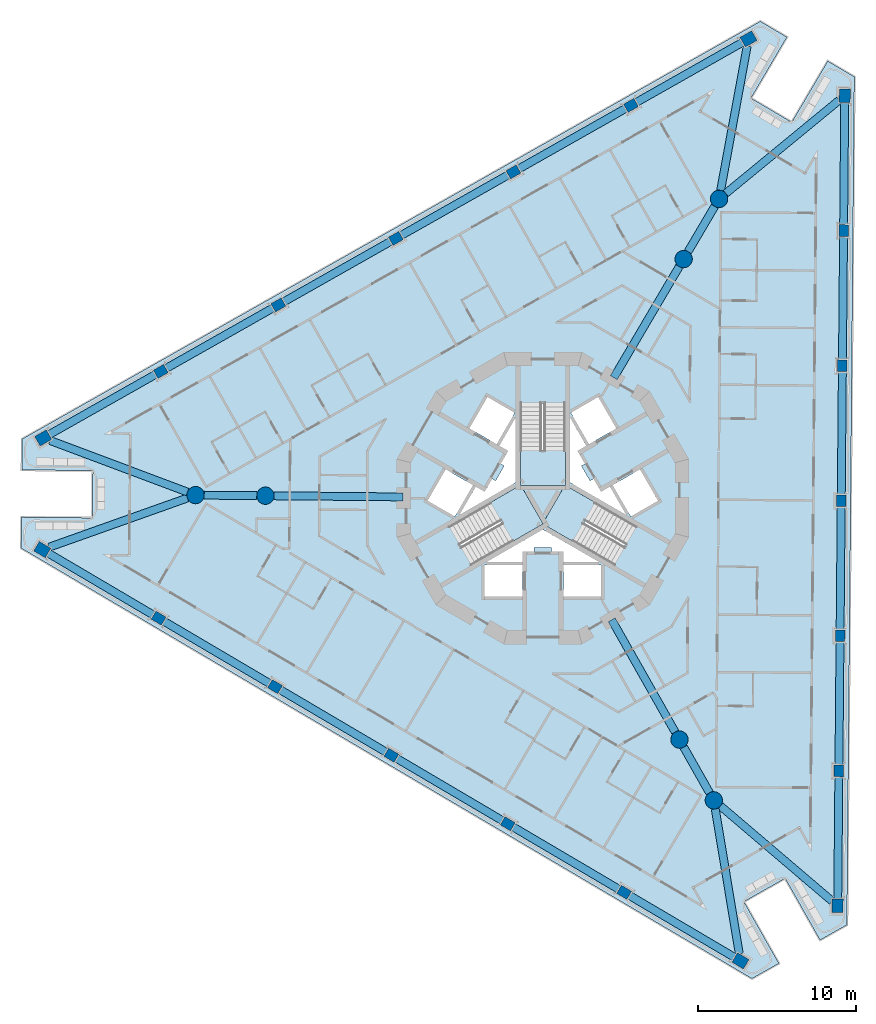
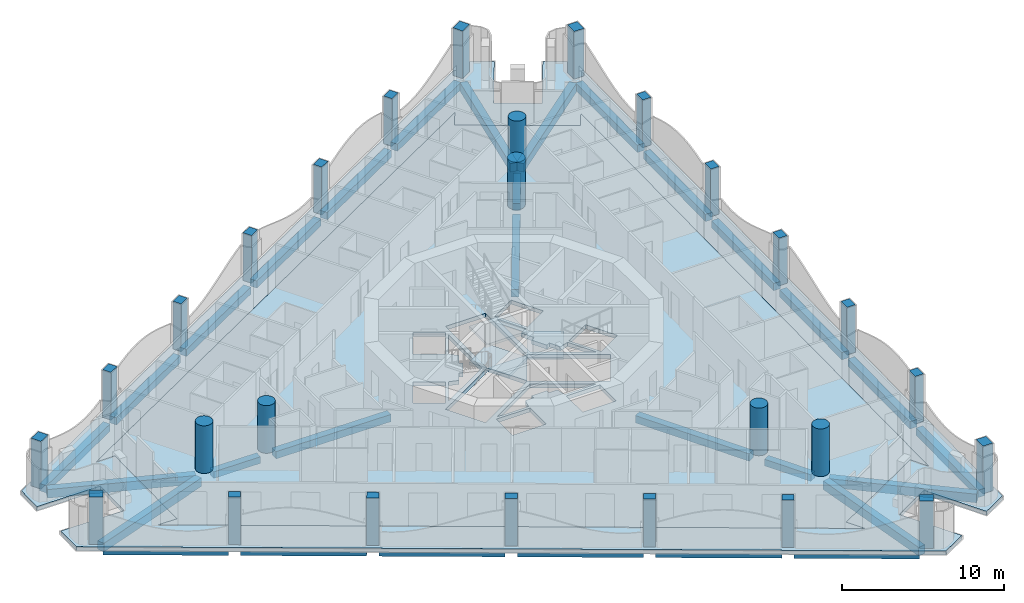
# One storey, part 1 of 18: 30 beams, 27 columns, 6 slabs, 3 elements without a shape of their own.
"""IFC4 building model written with IfcOpenShell, lengths in metres."""

from ifc_helpers import new_model, si_unit, direction, frame, origin, origin_2d, place, context, subcontext, project, spatial, polyline, rectangle, circle, outline, extrude, material, layer, layer_set, material_profile, profile_set, type_object, element, aggregate, save


model = new_model("IFC4")

# Units and contexts
model_context = context("Model", 3, precision=1e-05, world=origin(), true_north=direction((0.0, 1.0)))
body_context = subcontext(model_context, "Body", "Model", "MODEL_VIEW")
ifc_project = project(units=[si_unit("LENGTHUNIT", "METRE"), si_unit("AREAUNIT", "SQUARE_METRE"), si_unit("VOLUMEUNIT", "CUBIC_METRE"), si_unit("PLANEANGLEUNIT", "RADIAN"), si_unit("MASSUNIT", "GRAM", prefix="KILO")], contexts=[model_context])

# Site, building, storey
site_placement = place(None, origin())
site = spatial("IfcSite", under=ifc_project, at=site_placement, CompositionType="ELEMENT")
building_placement = place(site_placement, origin())
building = spatial("IfcBuilding", under=site, at=building_placement, Name="Trine Commons Tower", CompositionType="ELEMENT")
storey_placement = place(building_placement, frame((0.0, 0.0, 171.89990234375)))
storey = spatial("IfcBuildingStorey", under=building, at=storey_placement, Name="L44", CompositionType="ELEMENT", Elevation=171.89990234375)

# Columns
ifc_material_1 = material(Name="Concrete C60/75", Category="concrete")
ifc_material_profile_1 = material_profile(ifc_material_1, rectangle(XDim=0.75, YDim=0.60009765625, at=origin_2d()), Name="RC 750x600")
ifc_profile_set_1 = profile_set([ifc_material_profile_1], Name="Concrete C60/75")
column_type_1 = type_object("IfcColumnType", Name="RC column 750x600, C60/75", PredefinedType="COLUMN", material=ifc_profile_set_1)
for number, where, z_axis, x_axis, name in (
    (1, (85.15771484375, 37.483154296875, 0.0), (0.0, 0.0, 1.0), (-0.861629160442, 0.507538362961, 0.0), "Column PC5-02 L44"),
    (2, (77.773193359375, 41.8330078125, 0.0), (0.0, 0.0, 1.0), (-0.861629160442, 0.507538362961, 0.0), "Column PC5-03 L44"),
    (3, (70.388427734375, 46.182861328125, 0.0), (0.0, 0.0, 1.0), (-0.861629160442, 0.507538362961, 0.0), "Column PC5-04 L44"),
    (4, (63.00390625, 50.53271484375, 0.0), (0.0, 0.0, 1.0), (-0.861629160442, 0.507538362961, 0.0), "Column PC5-05 L44"),
    (5, (55.619140625, 54.8828125, 0.0), (0.0, 0.0, 1.0), (-0.861629160442, 0.507538362961, 0.0), "Column PC5-06 L44"),
    (6, (55.755859375, 70.541748046875, 0.0), (0.0, 0.0, 1.0), (0.87035569594, 0.492423560103, 0.0), "Column PC5-09 L44"),
    (7, (63.215087890625, 74.761962890625, 0.0), (0.0, 0.0, 1.0), (0.87035569594, 0.492423560103, 0.0), "Column PC5-10 L44"),
    (8, (70.6748046875, 78.982421875, 0.0), (0.0, 0.0, 1.0), (0.87035569594, 0.492423560103, 0.0), "Column PC5-11 L44"),
    (9, (78.13427734375, 83.202880859375, 0.0), (0.0, 0.0, 1.0), (0.87035569594, 0.492423560103, 0.0), "Column PC5-12 L44"),
    (10, (85.59375, 87.423095703125, 0.0), (0.0, 0.0, 1.0), (0.87035569594, 0.492423560103, 0.0), "Column PC5-13 L44"),
    (11, (99.08642578125, 79.475341796875, 0.0), (0.0, 0.0, 1.0), (0.008726535498, 0.999961923064, 0.0), "Column PC5-16 L44"),
    (12, (99.01171875, 70.905029296875, 0.0), (0.0, 0.0, 1.0), (0.008726535498, 0.999961923064, 0.0), "Column PC5-17 L44"),
    (13, (98.936767578125, 62.334716796875, 0.0), (0.0, 0.0, 1.0), (0.008726535498, 0.999961923064, 0.0), "Column PC5-18 L44"),
    (14, (98.862060546875, 53.764404296875, 0.0), (0.0, 0.0, 1.0), (0.008726535498, 0.999961923064, 0.0), "Column PC5-19 L44"),
    (15, (98.787109375, 45.194091796875, 0.0), (0.0, 0.0, 1.0), (0.008726535498, 0.999961923064, 0.0), "Column PC5-20 L44"),
):
    element("IfcColumn", number, at=place(storey_placement, frame(where, z_axis=z_axis, x_axis=x_axis)), inside=storey, type_object=column_type_1, Name=name, PredefinedType="COLUMN", context=body_context, shape_type="SweptSolid", body=[
        extrude(rectangle(XDim=0.75, YDim=0.60009765625, at=origin_2d()), origin(), (0.0, 0.0, 1.0), 3.60009765625),
    ])
ifc_material_profile_2 = material_profile(ifc_material_1, rectangle(XDim=0.85009765625, YDim=0.699951171875, at=origin_2d()), Name="RC 850x700")
ifc_profile_set_2 = profile_set([ifc_material_profile_2], Name="Concrete C60/75")
column_type_2 = type_object("IfcColumnType", Name="RC column 850x700, C60/75", PredefinedType="COLUMN", material=ifc_profile_set_2)
for number, where, z_axis, x_axis, name in (
    (16, (92.54248046875, 33.133056640625, 0.0), (0.0, 0.0, 1.0), (-0.861629160442, 0.507538362961, 0.0), "Column PC5-01 L44"),
    (17, (48.234375, 59.232666015625, 0.0), (0.0, 0.0, 1.0), (-0.861629160442, 0.507538362961, 0.0), "Column PC5-07 L44"),
    (18, (48.29638671875, 66.3212890625, 0.0), (0.0, 0.0, 1.0), (0.87035569594, 0.492423560103, 0.0), "Column PC5-08 L44"),
    (19, (93.052978515625, 91.6435546875, 0.0), (0.0, 0.0, 1.0), (0.87035569594, 0.492423560103, 0.0), "Column PC5-14 L44"),
    (20, (99.1611328125, 88.045654296875, 0.0), (0.0, 0.0, 1.0), (0.008726535498, 0.999961923064, 0.0), "Column PC5-15 L44"),
    (21, (98.71240234375, 36.623779296875, 0.0), (0.0, 0.0, 1.0), (0.008726535498, 0.999961923064, 0.0), "Column PC5-21 L44"),
):
    element("IfcColumn", number, at=place(storey_placement, frame(where, z_axis=z_axis, x_axis=x_axis)), inside=storey, type_object=column_type_2, Name=name, PredefinedType="COLUMN", context=body_context, shape_type="SweptSolid", body=[
        extrude(rectangle(XDim=0.85009765625, YDim=0.699951171875, at=origin_2d()), origin(), (0.0, 0.0, 1.0), 3.60009765625),
    ])
ifc_material_profile_3 = material_profile(ifc_material_1, circle(Radius=0.550048828125, at=origin_2d()), Name="RC round 1100")
ifc_profile_set_3 = profile_set([ifc_material_profile_3], Name="Concrete C60/75")
column_type_3 = type_object("IfcColumnType", Name="RC round column 1100 mm, C60/75", PredefinedType="COLUMN", material=ifc_profile_set_3)
for number, where, z_axis, x_axis, name in (
    (22, (88.66943359375, 47.177001953125, 0.0), (0.0, 0.0, 1.0), (1.0, 0.0, 0.0), "Column WC5-1 L44"),
    (23, (90.85205078125, 43.319091796875, 0.0), (0.0, 0.0, 1.0), (1.0, 0.0, 0.0), "Column WC5-2 L44"),
    (24, (88.935546875, 77.66943359375, 0.0), (0.0, 0.0, 1.0), (1.0, 0.0, 0.0), "Column WC5-3 L44"),
    (25, (91.185302734375, 81.488525390625, 0.0), (0.0, 0.0, 1.0), (1.0, 0.0, 0.0), "Column WC5-4 L44"),
    (26, (62.39501953125, 62.653564453125, 0.0), (0.0, 0.0, 1.0), (1.0, 0.0, 0.0), "Column WC5-5 L44"),
    (27, (57.962890625, 62.6923828125, 0.0), (0.0, 0.0, 1.0), (1.0, 0.0, 0.0), "Column WC5-6 L44"),
):
    element("IfcColumn", number, at=place(storey_placement, frame(where, z_axis=z_axis, x_axis=x_axis)), inside=storey, type_object=column_type_3, Name=name, PredefinedType="COLUMN", context=body_context, shape_type="SweptSolid", body=[
        extrude(circle(Radius=0.550048828125, at=origin_2d()), origin(), (0.0, 0.0, 1.0), 3.60009765625),
    ])

# Beams
ifc_material_2 = material(Name="Concrete C40/50", Category="concrete")
ifc_material_profile_4 = material_profile(ifc_material_2, rectangle(XDim=0.5, YDim=0.5, at=origin_2d()), Name="RC 500x500")
ifc_profile_set_4 = profile_set([ifc_material_profile_4], Name="Concrete C40/50")
beam_type_1 = type_object("IfcBeamType", Name="RC beam 500x500, C40/50", PredefinedType="BEAM", material=ifc_profile_set_4)
beam_1_placement = place(storey_placement, frame((88.93994140625, 46.698486328125, -0.5498046875), z_axis=(0.492474717644, -0.870326750411, 0.0), x_axis=(0.870326750411, 0.492474717644, 0.0)))
element("IfcBeam", 28, at=beam_1_placement, inside=storey, type_object=beam_type_1, Name="Beam RB5-02 L44", PredefinedType="BEAM", context=body_context, shape_type="SweptSolid", body=[
    extrude(rectangle(XDim=0.5, YDim=0.5, at=origin_2d()), origin(), (0.0, 0.0, 1.0), 3.333251953125),
])
beam_2_placement = place(storey_placement, frame((89.21435546875, 78.142578125, -0.5498046875), z_axis=(0.507522450497, 0.861638533401, 0.0), x_axis=(-0.861638533401, 0.507522450497, 0.0)))
element("IfcBeam", 29, at=beam_2_placement, inside=storey, type_object=beam_type_1, Name="Beam RB5-04 L44", PredefinedType="BEAM", context=body_context, shape_type="SweptSolid", body=[
    extrude(rectangle(XDim=0.5, YDim=0.5, at=origin_2d()), origin(), (0.0, 0.0, 1.0), 3.334228515625),
])
beam_3_placement = place(storey_placement, frame((61.84521484375, 62.658447265625, -0.5498046875), z_axis=(-0.999962000851, 0.008717617443, 0.0), x_axis=(-0.008717617443, -0.999962000851, 0.0)))
element("IfcBeam", 30, at=beam_3_placement, inside=storey, type_object=beam_type_1, Name="Beam RB5-06 L44", PredefinedType="BEAM", context=body_context, shape_type="SweptSolid", body=[
    extrude(rectangle(XDim=0.5, YDim=0.5, at=origin_2d()), origin(), (0.0, 0.0, 1.0), 3.332763671875),
])
ifc_material_profile_5 = material_profile(ifc_material_2, rectangle(XDim=0.5, YDim=0.550048828125, at=origin_2d()), Name="RC 500x550")
ifc_profile_set_5 = profile_set([ifc_material_profile_5], Name="Concrete C40/50")
beam_type_2 = type_object("IfcBeamType", Name="RC beam 500x550, C40/50", PredefinedType="BEAM", material=ifc_profile_set_5)
beam_4_placement = place(storey_placement, frame((92.17626953125, 33.348876953125, -0.574951171875), z_axis=(-0.861628755535, 0.507539050354, 0.0), x_axis=(-0.507539050354, -0.861628755535, 0.0)))
element("IfcBeam", 31, at=beam_4_placement, inside=storey, type_object=beam_type_2, Name="Beam EB5-01 L44", PredefinedType="BEAM", context=body_context, shape_type="SweptSolid", body=[
    extrude(rectangle(XDim=0.5, YDim=0.550048828125, at=origin_2d()), origin(), (0.0, 0.0, 1.0), 7.7705078125),
])
beam_5_placement = place(storey_placement, frame((84.834716796875, 37.67333984375, -0.574951171875), z_axis=(-0.861632320767, 0.507532997755, 0.0), x_axis=(-0.507532997755, -0.861632320767, 0.0)))
element("IfcBeam", 32, at=beam_5_placement, inside=storey, type_object=beam_type_2, Name="Beam EB5-02 L44", PredefinedType="BEAM", context=body_context, shape_type="SweptSolid", body=[
    extrude(rectangle(XDim=0.5, YDim=0.550048828125, at=origin_2d()), origin(), (0.0, 0.0, 1.0), 7.820556640625),
])
beam_6_placement = place(storey_placement, frame((77.4501953125, 42.023193359375, -0.574951171875), z_axis=(-0.861618669075, 0.507556173345, 0.0), x_axis=(-0.507556173345, -0.861618669075, 0.0)))
element("IfcBeam", 33, at=beam_6_placement, inside=storey, type_object=beam_type_2, Name="Beam EB5-03 L44", PredefinedType="BEAM", context=body_context, shape_type="SweptSolid", body=[
    extrude(rectangle(XDim=0.5, YDim=0.550048828125, at=origin_2d()), origin(), (0.0, 0.0, 1.0), 7.82080078125),
])
for number, where, z_axis, x_axis, name in (
    (34, (70.0654296875, 46.373291015625, -0.574951171875), (-0.861632320767, 0.507532997755, 0.0), (-0.507532997755, -0.861632320767, 0.0), "Beam EB5-04 L44"),
    (35, (62.6806640625, 50.72314453125, -0.574951171875), (-0.861632320767, 0.507532997755, 0.0), (-0.507532997755, -0.861632320767, 0.0), "Beam EB5-05 L44"),
):
    element("IfcBeam", number, at=place(storey_placement, frame(where, z_axis=z_axis, x_axis=x_axis)), inside=storey, type_object=beam_type_2, Name=name, PredefinedType="BEAM", context=body_context, shape_type="SweptSolid", body=[
        extrude(rectangle(XDim=0.5, YDim=0.550048828125, at=origin_2d()), origin(), (0.0, 0.0, 1.0), 7.820556640625),
    ])
for number, where, z_axis, x_axis, name in (
    (36, (55.2958984375, 55.072998046875, -0.574951171875), (-0.861628755535, 0.507539050354, 0.0), (-0.507539050354, -0.861628755535, 0.0), "Beam EB5-06 L44"),
    (37, (48.666259765625, 66.530517578125, -0.574951171875), (0.870356200913, 0.492422667566, 0.0), (-0.492422667566, 0.870356200913, 0.0), "Beam EB5-07 L44"),
):
    element("IfcBeam", number, at=place(storey_placement, frame(where, z_axis=z_axis, x_axis=x_axis)), inside=storey, type_object=beam_type_2, Name=name, PredefinedType="BEAM", context=body_context, shape_type="SweptSolid", body=[
        extrude(rectangle(XDim=0.5, YDim=0.550048828125, at=origin_2d()), origin(), (0.0, 0.0, 1.0), 7.7705078125),
    ])
for number, where, z_axis, x_axis, name in (
    (38, (56.082275390625, 70.726318359375, -0.574951171875), (0.87035228491, 0.49242958903, 0.0), (-0.49242958903, 0.87035228491, 0.0), "Beam EB5-08 L44"),
    (39, (63.54150390625, 74.94677734375, -0.574951171875), (0.870373233333, 0.492392561578, 0.0), (-0.492392561578, 0.870373233333, 0.0), "Beam EB5-09 L44"),
    (40, (71.001220703125, 79.1669921875, -0.574951171875), (0.87035228491, 0.49242958903, 0.0), (-0.49242958903, 0.87035228491, 0.0), "Beam EB5-10 L44"),
    (41, (78.460693359375, 83.387451171875, -0.574951171875), (0.870365664344, 0.492405940592, 0.0), (-0.492405940592, 0.870365664344, 0.0), "Beam EB5-11 L44"),
):
    element("IfcBeam", number, at=place(storey_placement, frame(where, z_axis=z_axis, x_axis=x_axis)), inside=storey, type_object=beam_type_2, Name=name, PredefinedType="BEAM", context=body_context, shape_type="SweptSolid", body=[
        extrude(rectangle(XDim=0.5, YDim=0.550048828125, at=origin_2d()), origin(), (0.0, 0.0, 1.0), 7.820556640625),
    ])
beam_7_placement = place(storey_placement, frame((85.920166015625, 87.60791015625, -0.574951171875), z_axis=(0.870362048186, 0.492412332377, 0.0), x_axis=(-0.492412332377, 0.870362048186, 0.0)))
element("IfcBeam", 42, at=beam_7_placement, inside=storey, type_object=beam_type_2, Name="Beam EB5-12 L44", PredefinedType="BEAM", context=body_context, shape_type="SweptSolid", body=[
    extrude(rectangle(XDim=0.5, YDim=0.550048828125, at=origin_2d()), origin(), (0.0, 0.0, 1.0), 7.770263671875),
])
beam_8_placement = place(storey_placement, frame((99.157470703125, 87.62060546875, -0.574951171875), z_axis=(-0.008734388901, -0.999961854498, 0.0), x_axis=(0.999961854498, -0.008734388901, 0.0)))
element("IfcBeam", 43, at=beam_8_placement, inside=storey, type_object=beam_type_2, Name="Beam EB5-13 L44", PredefinedType="BEAM", context=body_context, shape_type="SweptSolid", body=[
    extrude(rectangle(XDim=0.5, YDim=0.550048828125, at=origin_2d()), origin(), (0.0, 0.0, 1.0), 7.7705078125),
])
for number, where, z_axis, x_axis, name in (
    (44, (99.0830078125, 79.100341796875, -0.574951171875), (-0.008709709586, -0.99996206976, 0.0), (0.99996206976, -0.008709709586, 0.0), "Beam EB5-14 L44"),
    (45, (99.00830078125, 70.530029296875, -0.574951171875), (-0.008709709586, -0.99996206976, 0.0), (0.99996206976, -0.008709709586, 0.0), "Beam EB5-15 L44"),
    (46, (98.93359375, 61.959716796875, -0.574951171875), (-0.008740924802, -0.999961797387, 0.0), (0.999961797387, -0.008740924802, 0.0), "Beam EB5-16 L44"),
    (47, (98.858642578125, 53.389404296875, -0.574951171875), (-0.008709709586, -0.99996206976, 0.0), (0.99996206976, -0.008709709586, 0.0), "Beam EB5-17 L44"),
):
    element("IfcBeam", number, at=place(storey_placement, frame(where, z_axis=z_axis, x_axis=x_axis)), inside=storey, type_object=beam_type_2, Name=name, PredefinedType="BEAM", context=body_context, shape_type="SweptSolid", body=[
        extrude(rectangle(XDim=0.5, YDim=0.550048828125, at=origin_2d()), origin(), (0.0, 0.0, 1.0), 7.820556640625),
    ])
beam_9_placement = place(storey_placement, frame((98.783935546875, 44.819091796875, -0.574951171875), z_axis=(-0.008734388901, -0.999961854498, 0.0), x_axis=(0.999961854498, -0.008734388901, 0.0)))
element("IfcBeam", 48, at=beam_9_placement, inside=storey, type_object=beam_type_2, Name="Beam EB5-18 L44", PredefinedType="BEAM", context=body_context, shape_type="SweptSolid", body=[
    extrude(rectangle(XDim=0.5, YDim=0.550048828125, at=origin_2d()), origin(), (0.0, 0.0, 1.0), 7.7705078125),
])
beam_10_placement = place(storey_placement, frame((84.369384765625, 54.777099609375, -0.574951171875), z_axis=(0.492419995537, -0.870357712665, 0.0), x_axis=(0.870357712665, 0.492419995537, 0.0)))
element("IfcBeam", 49, at=beam_10_placement, inside=storey, type_object=beam_type_2, Name="Beam RB5-01 L44", PredefinedType="BEAM", context=body_context, shape_type="SweptSolid", body=[
    extrude(rectangle(XDim=0.5, YDim=0.550048828125, at=origin_2d()), origin(), (0.0, 0.0, 1.0), 8.1826171875),
])
beam_11_placement = place(storey_placement, frame((84.50341796875, 70.1455078125, -0.574951171875), z_axis=(0.507559825452, 0.861616517708, 0.0), x_axis=(-0.861616517708, 0.507559825452, 0.0)))
element("IfcBeam", 50, at=beam_11_placement, inside=storey, type_object=beam_type_2, Name="Beam RB5-03 L44", PredefinedType="BEAM", context=body_context, shape_type="SweptSolid", body=[
    extrude(rectangle(XDim=0.5, YDim=0.550048828125, at=origin_2d()), origin(), (0.0, 0.0, 1.0), 8.182861328125),
])
beam_12_placement = place(storey_placement, frame((71.127197265625, 62.577392578125, -0.574951171875), z_axis=(-0.999962048186, 0.008712186128, 0.0), x_axis=(-0.008712186128, -0.999962048186, 0.0)))
element("IfcBeam", 51, at=beam_12_placement, inside=storey, type_object=beam_type_2, Name="Beam RB5-05 L44", PredefinedType="BEAM", context=body_context, shape_type="SweptSolid", body=[
    extrude(rectangle(XDim=0.5, YDim=0.550048828125, at=origin_2d()), origin(), (0.0, 0.0, 1.0), 8.1826171875),
])
ifc_material_profile_6 = material_profile(ifc_material_2, rectangle(XDim=0.5, YDim=0.64990234375, at=origin_2d()), Name="RC 500x650")
ifc_profile_set_6 = profile_set([ifc_material_profile_6], Name="Concrete C40/50")
beam_type_3 = type_object("IfcBeamType", Name="RC beam 500x650, C40/50", PredefinedType="BEAM", material=ifc_profile_set_6)
beam_13_placement = place(storey_placement, frame((48.664306640625, 59.385498046875, -0.625), z_axis=(0.94219208675, 0.335073233287, 0.0), x_axis=(-0.335073233287, 0.94219208675, 0.0)))
element("IfcBeam", 52, at=beam_13_placement, inside=storey, type_object=beam_type_3, Name="Beam CB5-01 L44", PredefinedType="BEAM", context=body_context, shape_type="SweptSolid", body=[
    extrude(rectangle(XDim=0.5, YDim=0.64990234375, at=origin_2d()), origin(), (0.0, 0.0, 1.0), 9.31982421875),
])
beam_14_placement = place(storey_placement, frame((48.7236328125, 66.160888671875, -0.625), z_axis=(0.936203156272, -0.351459315123, 0.0), x_axis=(0.351459315123, 0.936203156272, 0.0)))
element("IfcBeam", 53, at=beam_14_placement, inside=storey, type_object=beam_type_3, Name="Beam CB5-02 L44", PredefinedType="BEAM", context=body_context, shape_type="SweptSolid", body=[
    extrude(rectangle(XDim=0.5, YDim=0.64990234375, at=origin_2d()), origin(), (0.0, 0.0, 1.0), 9.3193359375),
])
beam_15_placement = place(storey_placement, frame((92.970458984375, 91.194580078125, -0.625), z_axis=(-0.180897704794, -0.983501916826, 0.0), x_axis=(0.983501916826, -0.180897704794, 0.0)))
element("IfcBeam", 54, at=beam_15_placement, inside=storey, type_object=beam_type_3, Name="Beam CB5-03 L44", PredefinedType="BEAM", context=body_context, shape_type="SweptSolid", body=[
    extrude(rectangle(XDim=0.5, YDim=0.64990234375, at=origin_2d()), origin(), (0.0, 0.0, 1.0), 9.319091796875),
])
beam_16_placement = place(storey_placement, frame((98.80859375, 87.755859375, -0.625), z_axis=(-0.772466897343, -0.635055031087, 0.0), x_axis=(0.635055031087, -0.772466897343, 0.0)))
element("IfcBeam", 55, at=beam_16_placement, inside=storey, type_object=beam_type_3, Name="Beam CB5-04 L44", PredefinedType="BEAM", context=body_context, shape_type="SweptSolid", body=[
    extrude(rectangle(XDim=0.5, YDim=0.64990234375, at=origin_2d()), origin(), (0.0, 0.0, 1.0), 9.31884765625),
])
beam_17_placement = place(storey_placement, frame((98.364990234375, 36.919921875, -0.625), z_axis=(-0.761281547068, 0.648421472573, 0.0), x_axis=(-0.648421472573, -0.761281547068, 0.0)))
element("IfcBeam", 56, at=beam_17_placement, inside=storey, type_object=beam_type_3, Name="Beam CB5-05 L44", PredefinedType="BEAM", context=body_context, shape_type="SweptSolid", body=[
    extrude(rectangle(XDim=0.5, YDim=0.64990234375, at=origin_2d()), origin(), (0.0, 0.0, 1.0), 9.319091796875),
])
beam_18_placement = place(storey_placement, frame((92.4677734375, 33.583251953125, -0.625), z_axis=(-0.163727753956, 0.986505561355, 0.0), x_axis=(-0.986505561355, -0.163727753956, 0.0)))
element("IfcBeam", 57, at=beam_18_placement, inside=storey, type_object=beam_type_3, Name="Beam CB5-06 L44", PredefinedType="BEAM", context=body_context, shape_type="SweptSolid", body=[
    extrude(rectangle(XDim=0.5, YDim=0.64990234375, at=origin_2d()), origin(), (0.0, 0.0, 1.0), 9.319580078125),
])

# Slabs
ifc_layer_1 = layer(ifc_material_2, 0.300048828125)
ifc_layer_set_1 = layer_set([ifc_layer_1], Name="Concrete C40/50")
slab_type_1 = type_object("IfcSlabType", Name="Loggia slab 300 mm, C40/50", PredefinedType="FLOOR", material=ifc_layer_set_1)
slab_1_placement = place(storey_placement, frame((0.0, 0.0, -0.2998046875)))
element("IfcSlab", 58, at=slab_1_placement, inside=storey, type_object=slab_type_1, Name="Loggia slab L44", PredefinedType="FLOOR", context=body_context, shape_type="SweptSolid", body=[
    extrude(outline(polyline([(99.302001953125, 35.418701171875), (99.771484375, 89.240234375), (98.079345703125, 90.237060546875), (95.79541015625, 86.35986328125), (93.21044921875, 87.88232421875), (95.494384765625, 91.759765625), (93.802001953125, 92.756591796875), (46.956298828125, 66.252685546875), (46.939208984375, 64.28857421875), (51.439208984375, 64.249267578125), (51.412841796875, 61.24951171875), (46.9130859375, 61.288818359375), (46.89599609375, 59.32470703125), (93.27197265625, 32.007080078125), (94.9814453125, 32.974365234375), (92.765380859375, 36.890869140625), (95.376708984375, 38.3681640625), (97.592529296875, 34.45166015625), (99.302001953125, 35.418701171875)]), holes=[polyline([(90.156982421875, 36.627197265625), (89.494873046875, 37.7978515625), (96.28369140625, 41.638916015625), (96.94580078125, 40.46826171875), (97.327880859375, 84.232666015625), (96.645263671875, 83.07373046875), (89.924560546875, 87.03271484375), (90.607177734375, 88.19140625), (52.514892578125, 66.639892578125), (53.860107421875, 66.62841796875), (53.7919921875, 58.82861328125), (52.447021484375, 58.84033203125), (90.156982421875, 36.627197265625)])]), origin(), (0.0, 0.0, 1.0), 0.2998046875),
])
ifc_layer_2 = layer(ifc_material_2, 0.300048828125)
ifc_layer_set_2 = layer_set([ifc_layer_2], Name="Concrete C40/50")
slab_type_2 = type_object("IfcSlabType", Name="PT flat slab 300 mm, C40/50", PredefinedType="FLOOR", material=ifc_layer_set_2)
slab_2_placement = place(storey_placement, frame((0.0, 0.0, -0.2998046875)))
element("IfcSlab", 59, at=slab_2_placement, inside=storey, type_object=slab_type_2, Name="Floor slab L44", PredefinedType="FLOOR", context=body_context, shape_type="SweptSolid", body=[
    extrude(outline(polyline([(52.447021484375, 58.84033203125), (90.156982421875, 36.627197265625), (89.494873046875, 37.7978515625), (96.28369140625, 41.638916015625), (96.94580078125, 40.46826171875), (97.327880859375, 84.232666015625), (96.645263671875, 83.07373046875), (89.924560546875, 87.03271484375), (90.607177734375, 88.19140625), (52.514892578125, 66.639892578125), (53.860107421875, 66.62841796875), (53.7919921875, 58.82861328125), (52.447021484375, 58.84033203125)]), holes=[polyline([(78.699951171875, 56.25), (78.699951171875, 58.25), (76.300048828125, 58.25), (76.300048828125, 56.25), (78.699951171875, 56.25)]), polyline([(80.0, 60.8544921875), (84.4755859375, 58.2705078125), (85.900390625, 60.73876953125), (81.425048828125, 63.32275390625), (81.425048828125, 68.490478515625), (78.574951171875, 68.490478515625), (78.574951171875, 63.32275390625), (74.099609375, 60.73876953125), (75.5244140625, 58.2705078125), (80.0, 60.8544921875)]), polyline([(73.83740234375, 64.325927734375), (72.687255859375, 62.333984375), (74.41943359375, 61.333984375), (75.5693359375, 63.325927734375), (73.83740234375, 64.325927734375)]), polyline([(76.381103515625, 63.031005859375), (75.742919921875, 63.22607421875), (74.7099609375, 61.43798828125), (78.27490234375, 63.49609375), (78.27490234375, 67.612060546875), (77.242919921875, 65.823974609375), (77.73095703125, 65.368896484375), (77.3310546875, 64.676025390625), (77.555908203125, 64.5458984375), (77.006103515625, 63.593994140625), (76.781005859375, 63.722900390625), (76.381103515625, 63.031005859375)]), polyline([(76.4873046875, 68.916015625), (75.33740234375, 66.924072265625), (77.0693359375, 65.924072265625), (78.219482421875, 67.916015625), (76.4873046875, 68.916015625)]), polyline([(83.699951171875, 56.25), (83.699951171875, 58.25), (81.300048828125, 58.25), (81.300048828125, 56.25), (83.699951171875, 56.25)]), polyline([(81.14990234375, 59.10009765625), (81.300048828125, 58.449951171875), (83.56494140625, 58.449951171875), (80.0, 60.508056640625), (76.43505859375, 58.449951171875), (78.699951171875, 58.449951171875), (78.85009765625, 59.10009765625), (79.449951171875, 59.10009765625), (79.449951171875, 59.360107421875), (80.550048828125, 59.360107421875), (80.550048828125, 59.10009765625), (81.14990234375, 59.10009765625)]), polyline([(86.16259765625, 64.325927734375), (84.4306640625, 63.325927734375), (85.58056640625, 61.333984375), (87.312744140625, 62.333984375), (86.16259765625, 64.325927734375)]), polyline([(83.243896484375, 63.738037109375), (82.993896484375, 63.593994140625), (82.444091796875, 64.5458984375), (82.72705078125, 64.7099609375), (82.281005859375, 65.549072265625), (82.757080078125, 65.823974609375), (81.72509765625, 67.612060546875), (81.72509765625, 63.49609375), (85.2900390625, 61.43798828125), (84.257080078125, 63.22607421875), (83.618896484375, 63.031005859375), (83.243896484375, 63.738037109375)]), polyline([(84.66259765625, 66.924072265625), (83.5126953125, 68.916015625), (81.780517578125, 67.916015625), (82.9306640625, 65.924072265625), (84.66259765625, 66.924072265625)])]), origin(), (0.0, 0.0, 1.0), 0.2998046875),
])
slab_3_placement = place(storey_placement, frame((0.0, 0.0, -0.2998046875)))
element("IfcSlab", 60, at=slab_3_placement, inside=storey, type_object=slab_type_2, Name="Floor slab L44 2", PredefinedType="FLOOR", context=body_context, shape_type="SweptSolid", body=[
    extrude(outline(polyline([(78.61328125, 63.300537109375), (80.0, 60.89892578125), (81.38671875, 63.300537109375), (78.61328125, 63.300537109375)])), origin(), (0.0, 0.0, 1.0), 0.2998046875),
])

# Stair, slab
ifc_material_3 = material(Name="Concrete C50/60", Category="concrete")
stair_type = type_object("IfcStairType", Name="Exit stair, dog-leg, 24 risers of 150 mm", PredefinedType="HALF_TURN_STAIR", material=ifc_material_3)
stair_1_placement = place(storey_placement, origin())
stair_1 = element("IfcStair", 61, at=stair_1_placement, inside=storey, type_object=stair_type, Name="L44 Exit stair ST1B", PredefinedType="HALF_TURN_STAIR")
ifc_layer_3 = layer(ifc_material_3, 0.199951171875)
ifc_layer_set_3 = layer_set([ifc_layer_3], Name="Concrete C50/60")
slab_type_3 = type_object("IfcSlabType", Name="Stair landing slab 200 mm, C50/60", PredefinedType="LANDING", material=ifc_layer_set_3)
slab_4_placement = place(storey_placement, frame((0.0, 0.0, 1.60009765625)))
slab_4 = element("IfcSlab", 62, at=slab_4_placement, type_object=slab_type_3, Name="ST1B landing 1", PredefinedType="LANDING", context=body_context, shape_type="SweptSolid", body=[
    extrude(outline(polyline([(78.574951171875, 65.570556640625), (78.574951171875, 63.300537109375), (81.425048828125, 63.300537109375), (81.425048828125, 65.570556640625), (78.574951171875, 65.570556640625)])), origin(), (0.0, 0.0, 1.0), 0.199951171875),
])
aggregate(stair_1, [slab_4])

stair_2_placement = place(storey_placement, origin())
stair_2 = element("IfcStair", 63, at=stair_2_placement, inside=storey, type_object=stair_type, Name="L44 Exit stair ST2B", PredefinedType="HALF_TURN_STAIR")
slab_5_placement = place(storey_placement, frame((0.0, 0.0, 1.60009765625)))
slab_5 = element("IfcSlab", 64, at=slab_5_placement, type_object=slab_type_3, Name="ST2B landing 1", PredefinedType="LANDING", context=body_context, shape_type="SweptSolid", body=[
    extrude(outline(polyline([(78.05322265625, 59.730712890625), (80.019287109375, 60.86572265625), (78.59423828125, 63.333740234375), (76.628173828125, 62.19873046875), (78.05322265625, 59.730712890625)])), origin(), (0.0, 0.0, 1.0), 0.199951171875),
])
aggregate(stair_2, [slab_5])

stair_3_placement = place(storey_placement, origin())
stair_3 = element("IfcStair", 65, at=stair_3_placement, inside=storey, type_object=stair_type, Name="L44 Exit stair ST3B", PredefinedType="HALF_TURN_STAIR")
slab_6_placement = place(storey_placement, frame((0.0, 0.0, 1.60009765625)))
slab_6 = element("IfcSlab", 66, at=slab_6_placement, type_object=slab_type_3, Name="ST3B landing 1", PredefinedType="LANDING", context=body_context, shape_type="SweptSolid", body=[
    extrude(outline(polyline([(83.371826171875, 62.19873046875), (81.40576171875, 63.333740234375), (79.980712890625, 60.86572265625), (81.94677734375, 59.730712890625), (83.371826171875, 62.19873046875)])), origin(), (0.0, 0.0, 1.0), 0.199951171875),
])
aggregate(stair_3, [slab_6])

save(model, "model.ifc")
